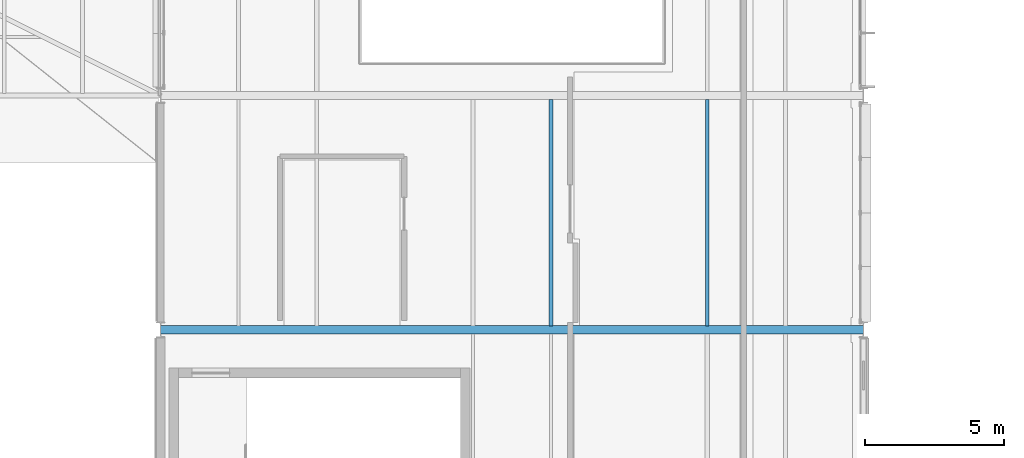
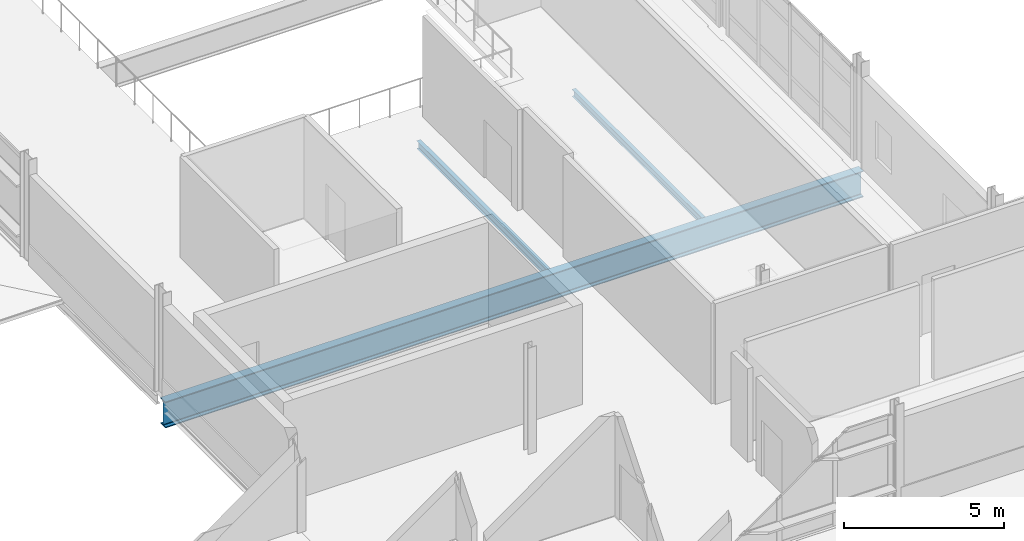
# One storey, part 29 of 151: 3 beams.
"""IFC4 building model written with IfcOpenShell, lengths in metres."""

from ifc_helpers import new_model, si_unit, direction, frame, origin, origin_2d, place, context, subcontext, project, spatial, i_section, extrude, material, material_profile, profile_set, type_object, element, save


model = new_model("IFC4")

# Units and contexts
model_context = context("Model", 3, precision=1e-05, world=origin(), true_north=direction((0.0, 1.0)))
body_context = subcontext(model_context, "Body", "Model", "MODEL_VIEW")
ifc_project = project(units=[si_unit("LENGTHUNIT", "METRE"), si_unit("AREAUNIT", "SQUARE_METRE"), si_unit("VOLUMEUNIT", "CUBIC_METRE"), si_unit("PLANEANGLEUNIT", "RADIAN"), si_unit("MASSUNIT", "GRAM", prefix="KILO")], contexts=[model_context])

# Site, building, storey
site_placement = place(None, origin())
site = spatial("IfcSite", under=ifc_project, at=site_placement, CompositionType="ELEMENT")
building_placement = place(site_placement, origin())
building = spatial("IfcBuilding", under=site, at=building_placement, Name="Mersafa Astral City Hall", CompositionType="ELEMENT")
storey_placement = place(building_placement, frame((0.0, 0.0, 9.89990234375)))
storey = spatial("IfcBuildingStorey", under=building, at=storey_placement, Name="L02", CompositionType="ELEMENT", Elevation=9.89990234375)

# Beams
ifc_material = material(Name="Steel S355", Category="steel")
ifc_material_profile_1 = material_profile(ifc_material, i_section(OverallWidth=0.135009765625, OverallDepth=0.27001953125, WebThickness=0.006591796875, FlangeThickness=0.01025390625, FilletRadius=0.014892578125, at=origin_2d()), Name="IPE 270")
ifc_profile_set_1 = profile_set([ifc_material_profile_1], Name="Steel S355")
beam_type_1 = type_object("IfcBeamType", Name="STR-BM-JOIST-IPE270", PredefinedType="JOIST", material=ifc_profile_set_1)
beam_1_placement = place(storey_placement, frame((112.0, 42.14501953125, -0.3349609375), z_axis=(0.0, 1.0, 0.0), x_axis=(-1.0, 0.0, 0.0)))
element("IfcBeam", 1, at=beam_1_placement, inside=storey, type_object=beam_type_1, Name="L02 Composite secondary floor joist 474", PredefinedType="JOIST", context=body_context, shape_type="SweptSolid", body=[
    extrude(i_section(OverallWidth=0.135009765625, OverallDepth=0.27001953125, WebThickness=0.006591796875, FlangeThickness=0.01025390625, FilletRadius=0.014892578125, at=origin_2d()), origin(), (0.0, 0.0, 1.0), 8.10986328125),
])
ifc_material_profile_2 = material_profile(ifc_material, i_section(OverallWidth=0.14990234375, OverallDepth=0.300048828125, WebThickness=0.007080078125, FlangeThickness=0.0107421875, FilletRadius=0.014892578125, at=origin_2d()), Name="IPE 300")
ifc_profile_set_2 = profile_set([ifc_material_profile_2], Name="Steel S355")
beam_type_2 = type_object("IfcBeamType", Name="STR-BM-JOIST-IPE300", PredefinedType="JOIST", material=ifc_profile_set_2)
beam_2_placement = place(storey_placement, frame((106.39990234375, 42.14501953125, -0.349853515625), z_axis=(0.0, 1.0, 0.0), x_axis=(-1.0, 0.0, 0.0)))
element("IfcBeam", 2, at=beam_2_placement, inside=storey, type_object=beam_type_2, Name="L02 Composite secondary floor joist 457", PredefinedType="JOIST", context=body_context, shape_type="SweptSolid", body=[
    extrude(i_section(OverallWidth=0.14990234375, OverallDepth=0.300048828125, WebThickness=0.007080078125, FlangeThickness=0.0107421875, FilletRadius=0.014892578125, at=origin_2d()), origin(), (0.0, 0.0, 1.0), 8.10986328125),
])
ifc_material_profile_3 = material_profile(ifc_material, i_section(OverallWidth=0.300048828125, OverallDepth=1.0, WebThickness=0.01904296875, FlangeThickness=0.035888671875, FilletRadius=0.030029296875, at=origin_2d()), Name="HEB 1000")
ifc_profile_set_3 = profile_set([ifc_material_profile_3], Name="Steel S355")
beam_type_3 = type_object("IfcBeamType", Name="STR-BM-PORTAL-HEB1000", PredefinedType="BEAM", material=ifc_profile_set_3)
beam_3_placement = place(storey_placement, frame((92.403076171875, 42.0, -0.699951171875), z_axis=(1.0, 0.0, 0.0), x_axis=(0.0, 1.0, 0.0)))
element("IfcBeam", 3, at=beam_3_placement, inside=storey, type_object=beam_type_3, Name="L02 Public Service Hall clear-span portal girder 5", PredefinedType="BEAM", context=body_context, shape_type="SweptSolid", body=[
    extrude(i_section(OverallWidth=0.300048828125, OverallDepth=1.0, WebThickness=0.01904296875, FlangeThickness=0.035888671875, FilletRadius=0.030029296875, at=origin_2d()), origin(), (0.0, 0.0, 1.0), 25.19384765625),
])

save(model, "model.ifc")
